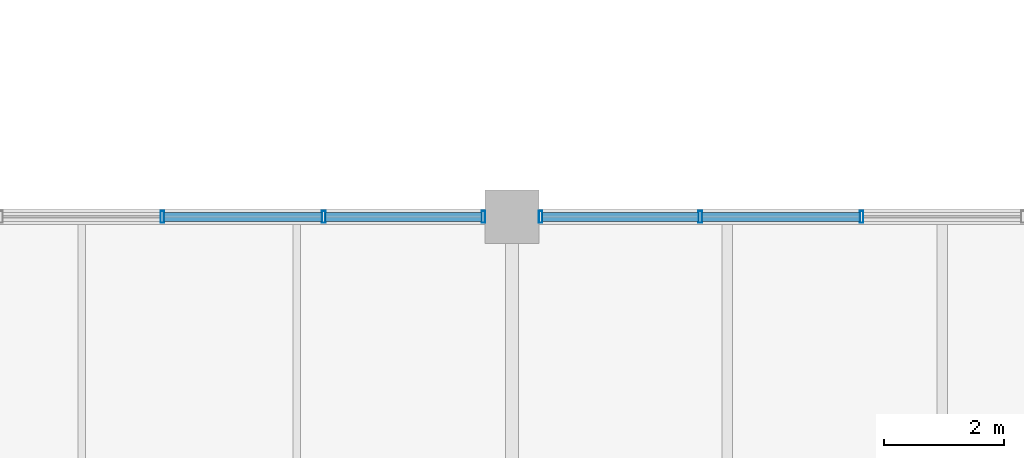
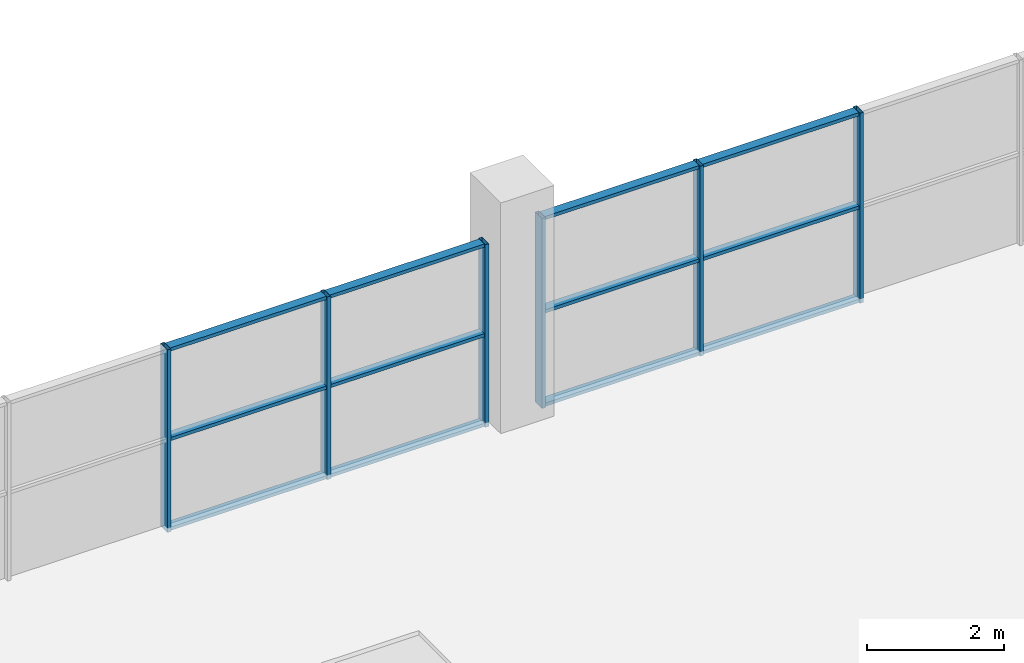
# One storey, part 14 of 93: 18 members, 2 elements without a shape of their own.
"""IFC4 building model written with IfcOpenShell, lengths in metres."""

from ifc_helpers import new_model, si_unit, direction, frame, origin, origin_2d, place, context, subcontext, project, spatial, hollow_rectangle, extrude, material, material_profile, profile_set, type_object, element, aggregate, save


model = new_model("IFC4")

# Units and contexts
model_context = context("Model", 3, precision=1e-05, world=origin(), true_north=direction((0.0, 1.0)))
body_context = subcontext(model_context, "Body", "Model", "MODEL_VIEW")
ifc_project = project(units=[si_unit("LENGTHUNIT", "METRE"), si_unit("AREAUNIT", "SQUARE_METRE"), si_unit("VOLUMEUNIT", "CUBIC_METRE"), si_unit("PLANEANGLEUNIT", "RADIAN"), si_unit("MASSUNIT", "GRAM", prefix="KILO"), si_unit("THERMODYNAMICTEMPERATUREUNIT", "KELVIN")], contexts=[model_context])

# Site, building, storey
site_placement = place(None, origin())
site = spatial("IfcSite", under=ifc_project, at=site_placement, CompositionType="ELEMENT")
building_placement = place(site_placement, origin())
building = spatial("IfcBuilding", under=site, at=building_placement, Name="Nduvali Passage Aquatics Centre", CompositionType="ELEMENT")
storey_placement = place(building_placement, frame((0.0, 0.0, 9.0)))
storey = spatial("IfcBuildingStorey", under=building, at=storey_placement, Name="L02", CompositionType="ELEMENT", Elevation=9.0)

# Curtain wall, members
ifc_material = material(Name="Aluminium EN AW-6063 T6", Category="aluminium")
curtain_wall_type = type_object("IfcCurtainWallType", Name="ENV-CW-CLER", PredefinedType="NOTDEFINED", material=ifc_material)
curtain_wall_1_placement = place(storey_placement, origin())
curtain_wall_1 = element("IfcCurtainWall", 1, at=curtain_wall_1_placement, inside=storey, type_object=curtain_wall_type, Name="L02 South Pool Hall Eave Clerestory 047", PredefinedType="NOTDEFINED")
ifc_material_profile_1 = material_profile(ifc_material, hollow_rectangle(XDim=0.06005859375, YDim=0.199951171875, WallThickness=0.00390625, at=origin_2d()), Name="ALU MULLION 60x200x4")
ifc_profile_set_1 = profile_set([ifc_material_profile_1], Name="Aluminium EN AW-6063 T6")
member_type_1 = type_object("IfcMemberType", Name="ENV-MEM-MUL80", PredefinedType="MULLION", material=ifc_profile_set_1)
member_1_placement = place(storey_placement, frame((48.14990234375, 25.199951171875, 0.0), z_axis=(0.0, 0.0, 1.0), x_axis=(1.0, 0.0, 0.0)))
member_1 = element("IfcMember", 2, at=member_1_placement, type_object=member_type_1, Name="South Pool Hall Eave Clerestory Mullion 4", PredefinedType="MULLION", context=body_context, shape_type="SweptSolid", body=[
    extrude(hollow_rectangle(XDim=0.06005859375, YDim=0.199951171875, WallThickness=0.00390625, at=origin_2d()), origin(), (0.0, 0.0, 1.0), 3.2626953125),
])
member_2_placement = place(storey_placement, frame((50.85009765625, 25.199951171875, 0.0), z_axis=(0.0, 0.0, 1.0), x_axis=(1.0, 0.0, 0.0)))
member_2 = element("IfcMember", 3, at=member_2_placement, type_object=member_type_1, Name="South Pool Hall Eave Clerestory Mullion 5", PredefinedType="MULLION", context=body_context, shape_type="SweptSolid", body=[
    extrude(hollow_rectangle(XDim=0.06005859375, YDim=0.199951171875, WallThickness=0.00390625, at=origin_2d()), origin(), (0.0, 0.0, 1.0), 3.2626953125),
])
member_3_placement = place(storey_placement, frame((53.52001953125, 25.199951171875, 0.0), z_axis=(0.0, 0.0, 1.0), x_axis=(1.0, 0.0, 0.0)))
member_3 = element("IfcMember", 4, at=member_3_placement, type_object=member_type_1, Name="South Pool Hall Eave Clerestory Mullion 6", PredefinedType="MULLION", context=body_context, shape_type="SweptSolid", body=[
    extrude(hollow_rectangle(XDim=0.06005859375, YDim=0.199951171875, WallThickness=0.00390625, at=origin_2d()), origin(), (0.0, 0.0, 1.0), 3.2626953125),
])

curtain_wall_2_placement = place(storey_placement, origin())
curtain_wall_2 = element("IfcCurtainWall", 5, at=curtain_wall_2_placement, inside=storey, type_object=curtain_wall_type, Name="L02 South Pool Hall Eave Clerestory 048", PredefinedType="NOTDEFINED")
member_4_placement = place(storey_placement, frame((54.47998046875, 25.199951171875, 0.0), z_axis=(0.0, 0.0, 1.0), x_axis=(1.0, 0.0, 0.0)))
member_4 = element("IfcMember", 6, at=member_4_placement, type_object=member_type_1, Name="South Pool Hall Eave Clerestory Mullion 1", PredefinedType="MULLION", context=body_context, shape_type="SweptSolid", body=[
    extrude(hollow_rectangle(XDim=0.06005859375, YDim=0.199951171875, WallThickness=0.00390625, at=origin_2d()), origin(), (0.0, 0.0, 1.0), 3.39404296875),
])
member_5_placement = place(storey_placement, frame((57.14990234375, 25.199951171875, 0.0), z_axis=(0.0, 0.0, 1.0), x_axis=(1.0, 0.0, 0.0)))
member_5 = element("IfcMember", 7, at=member_5_placement, type_object=member_type_1, Name="South Pool Hall Eave Clerestory Mullion 2", PredefinedType="MULLION", context=body_context, shape_type="SweptSolid", body=[
    extrude(hollow_rectangle(XDim=0.06005859375, YDim=0.199951171875, WallThickness=0.00390625, at=origin_2d()), origin(), (0.0, 0.0, 1.0), 3.39404296875),
])
member_6_placement = place(storey_placement, frame((59.85009765625, 25.199951171875, 0.0), z_axis=(0.0, 0.0, 1.0), x_axis=(1.0, 0.0, 0.0)))
member_6 = element("IfcMember", 8, at=member_6_placement, type_object=member_type_1, Name="South Pool Hall Eave Clerestory Mullion 3", PredefinedType="MULLION", context=body_context, shape_type="SweptSolid", body=[
    extrude(hollow_rectangle(XDim=0.06005859375, YDim=0.199951171875, WallThickness=0.00390625, at=origin_2d()), origin(), (0.0, 0.0, 1.0), 3.39404296875),
])

# Member
ifc_material_profile_2 = material_profile(ifc_material, hollow_rectangle(XDim=0.14990234375, YDim=0.06005859375, WallThickness=0.00390625, at=origin_2d()), Name="ALU TRANSOM 150x60x4")
ifc_profile_set_2 = profile_set([ifc_material_profile_2], Name="Aluminium EN AW-6063 T6")
member_type_2 = type_object("IfcMemberType", Name="ENV-MEM-TRN80", PredefinedType="USERDEFINED", material=ifc_profile_set_2)
member_7_placement = place(storey_placement, frame((48.179931640625, 25.199951171875, 0.030029296875), z_axis=(1.0, 0.0, 0.0), x_axis=(0.0, 1.0, 0.0)))
member_7 = element("IfcMember", 9, at=member_7_placement, type_object=member_type_2, Name="South Pool Hall Eave Clerestory Transom B4-R0", ObjectType="TRANSOM", PredefinedType="USERDEFINED", context=body_context, shape_type="SweptSolid", body=[
    extrude(hollow_rectangle(XDim=0.14990234375, YDim=0.06005859375, WallThickness=0.00390625, at=origin_2d()), origin(), (0.0, 0.0, 1.0), 2.64013671875),
])

member_8_placement = place(storey_placement, frame((48.179931640625, 25.199951171875, 1.63134765625), z_axis=(1.0, 0.0, 0.0), x_axis=(0.0, 1.0, 0.0)))
member_8 = element("IfcMember", 10, at=member_8_placement, type_object=member_type_2, Name="South Pool Hall Eave Clerestory Transom B4-R1", ObjectType="TRANSOM", PredefinedType="USERDEFINED", context=body_context, shape_type="SweptSolid", body=[
    extrude(hollow_rectangle(XDim=0.14990234375, YDim=0.06005859375, WallThickness=0.00390625, at=origin_2d()), origin(), (0.0, 0.0, 1.0), 2.64013671875),
])

member_9_placement = place(storey_placement, frame((48.179931640625, 25.199951171875, 3.232666015625), z_axis=(1.0, 0.0, 0.0), x_axis=(0.0, 1.0, 0.0)))
member_9 = element("IfcMember", 11, at=member_9_placement, type_object=member_type_2, Name="South Pool Hall Eave Clerestory Transom B4-R2", ObjectType="TRANSOM", PredefinedType="USERDEFINED", context=body_context, shape_type="SweptSolid", body=[
    extrude(hollow_rectangle(XDim=0.14990234375, YDim=0.06005859375, WallThickness=0.00390625, at=origin_2d()), origin(), (0.0, 0.0, 1.0), 2.64013671875),
])

member_10_placement = place(storey_placement, frame((50.8798828125, 25.199951171875, 0.030029296875), z_axis=(1.0, 0.0, 0.0), x_axis=(0.0, 1.0, 0.0)))
member_10 = element("IfcMember", 12, at=member_10_placement, type_object=member_type_2, Name="South Pool Hall Eave Clerestory Transom B5-R0", ObjectType="TRANSOM", PredefinedType="USERDEFINED", context=body_context, shape_type="SweptSolid", body=[
    extrude(hollow_rectangle(XDim=0.14990234375, YDim=0.06005859375, WallThickness=0.00390625, at=origin_2d()), origin(), (0.0, 0.0, 1.0), 2.610107421875),
])

member_11_placement = place(storey_placement, frame((50.8798828125, 25.199951171875, 1.63134765625), z_axis=(1.0, 0.0, 0.0), x_axis=(0.0, 1.0, 0.0)))
member_11 = element("IfcMember", 13, at=member_11_placement, type_object=member_type_2, Name="South Pool Hall Eave Clerestory Transom B5-R1", ObjectType="TRANSOM", PredefinedType="USERDEFINED", context=body_context, shape_type="SweptSolid", body=[
    extrude(hollow_rectangle(XDim=0.14990234375, YDim=0.06005859375, WallThickness=0.00390625, at=origin_2d()), origin(), (0.0, 0.0, 1.0), 2.610107421875),
])

member_12_placement = place(storey_placement, frame((50.8798828125, 25.199951171875, 3.232666015625), z_axis=(1.0, 0.0, 0.0), x_axis=(0.0, 1.0, 0.0)))
member_12 = element("IfcMember", 14, at=member_12_placement, type_object=member_type_2, Name="South Pool Hall Eave Clerestory Transom B5-R2", ObjectType="TRANSOM", PredefinedType="USERDEFINED", context=body_context, shape_type="SweptSolid", body=[
    extrude(hollow_rectangle(XDim=0.14990234375, YDim=0.06005859375, WallThickness=0.00390625, at=origin_2d()), origin(), (0.0, 0.0, 1.0), 2.610107421875),
])

aggregate(curtain_wall_1, [member_1, member_2, member_3, member_7, member_8, member_9, member_10, member_11, member_12])

member_13_placement = place(storey_placement, frame((54.510009765625, 25.199951171875, 0.030029296875), z_axis=(1.0, 0.0, 0.0), x_axis=(0.0, 1.0, 0.0)))
member_13 = element("IfcMember", 15, at=member_13_placement, type_object=member_type_2, Name="South Pool Hall Eave Clerestory Transom B1-R0", ObjectType="TRANSOM", PredefinedType="USERDEFINED", context=body_context, shape_type="SweptSolid", body=[
    extrude(hollow_rectangle(XDim=0.14990234375, YDim=0.06005859375, WallThickness=0.00390625, at=origin_2d()), origin(), (0.0, 0.0, 1.0), 2.610107421875),
])

member_14_placement = place(storey_placement, frame((54.510009765625, 25.199951171875, 1.697021484375), z_axis=(1.0, 0.0, 0.0), x_axis=(0.0, 1.0, 0.0)))
member_14 = element("IfcMember", 16, at=member_14_placement, type_object=member_type_2, Name="South Pool Hall Eave Clerestory Transom B1-R1", ObjectType="TRANSOM", PredefinedType="USERDEFINED", context=body_context, shape_type="SweptSolid", body=[
    extrude(hollow_rectangle(XDim=0.14990234375, YDim=0.06005859375, WallThickness=0.00390625, at=origin_2d()), origin(), (0.0, 0.0, 1.0), 2.610107421875),
])

member_15_placement = place(storey_placement, frame((54.510009765625, 25.199951171875, 3.364013671875), z_axis=(1.0, 0.0, 0.0), x_axis=(0.0, 1.0, 0.0)))
member_15 = element("IfcMember", 17, at=member_15_placement, type_object=member_type_2, Name="South Pool Hall Eave Clerestory Transom B1-R2", ObjectType="TRANSOM", PredefinedType="USERDEFINED", context=body_context, shape_type="SweptSolid", body=[
    extrude(hollow_rectangle(XDim=0.14990234375, YDim=0.06005859375, WallThickness=0.00390625, at=origin_2d()), origin(), (0.0, 0.0, 1.0), 2.610107421875),
])

member_16_placement = place(storey_placement, frame((57.179931640625, 25.199951171875, 0.030029296875), z_axis=(1.0, 0.0, 0.0), x_axis=(0.0, 1.0, 0.0)))
member_16 = element("IfcMember", 18, at=member_16_placement, type_object=member_type_2, Name="South Pool Hall Eave Clerestory Transom B2-R0", ObjectType="TRANSOM", PredefinedType="USERDEFINED", context=body_context, shape_type="SweptSolid", body=[
    extrude(hollow_rectangle(XDim=0.14990234375, YDim=0.06005859375, WallThickness=0.00390625, at=origin_2d()), origin(), (0.0, 0.0, 1.0), 2.64013671875),
])

member_17_placement = place(storey_placement, frame((57.179931640625, 25.199951171875, 1.697021484375), z_axis=(1.0, 0.0, 0.0), x_axis=(0.0, 1.0, 0.0)))
member_17 = element("IfcMember", 19, at=member_17_placement, type_object=member_type_2, Name="South Pool Hall Eave Clerestory Transom B2-R1", ObjectType="TRANSOM", PredefinedType="USERDEFINED", context=body_context, shape_type="SweptSolid", body=[
    extrude(hollow_rectangle(XDim=0.14990234375, YDim=0.06005859375, WallThickness=0.00390625, at=origin_2d()), origin(), (0.0, 0.0, 1.0), 2.64013671875),
])

member_18_placement = place(storey_placement, frame((57.179931640625, 25.199951171875, 3.364013671875), z_axis=(1.0, 0.0, 0.0), x_axis=(0.0, 1.0, 0.0)))
member_18 = element("IfcMember", 20, at=member_18_placement, type_object=member_type_2, Name="South Pool Hall Eave Clerestory Transom B2-R2", ObjectType="TRANSOM", PredefinedType="USERDEFINED", context=body_context, shape_type="SweptSolid", body=[
    extrude(hollow_rectangle(XDim=0.14990234375, YDim=0.06005859375, WallThickness=0.00390625, at=origin_2d()), origin(), (0.0, 0.0, 1.0), 2.64013671875),
])

aggregate(curtain_wall_2, [member_4, member_5, member_6, member_13, member_14, member_15, member_16, member_17, member_18])

save(model, "model.ifc")
